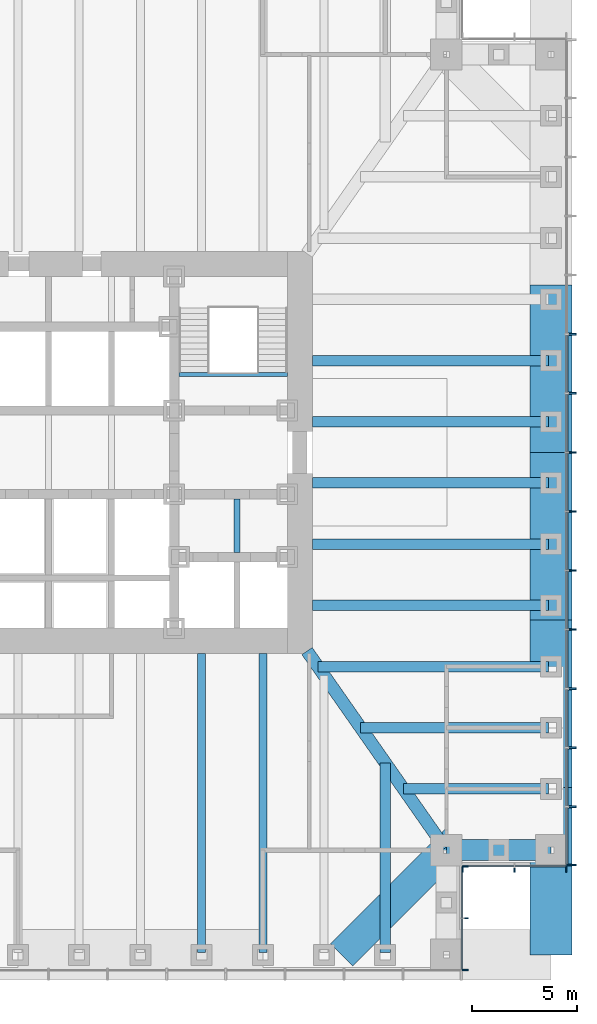
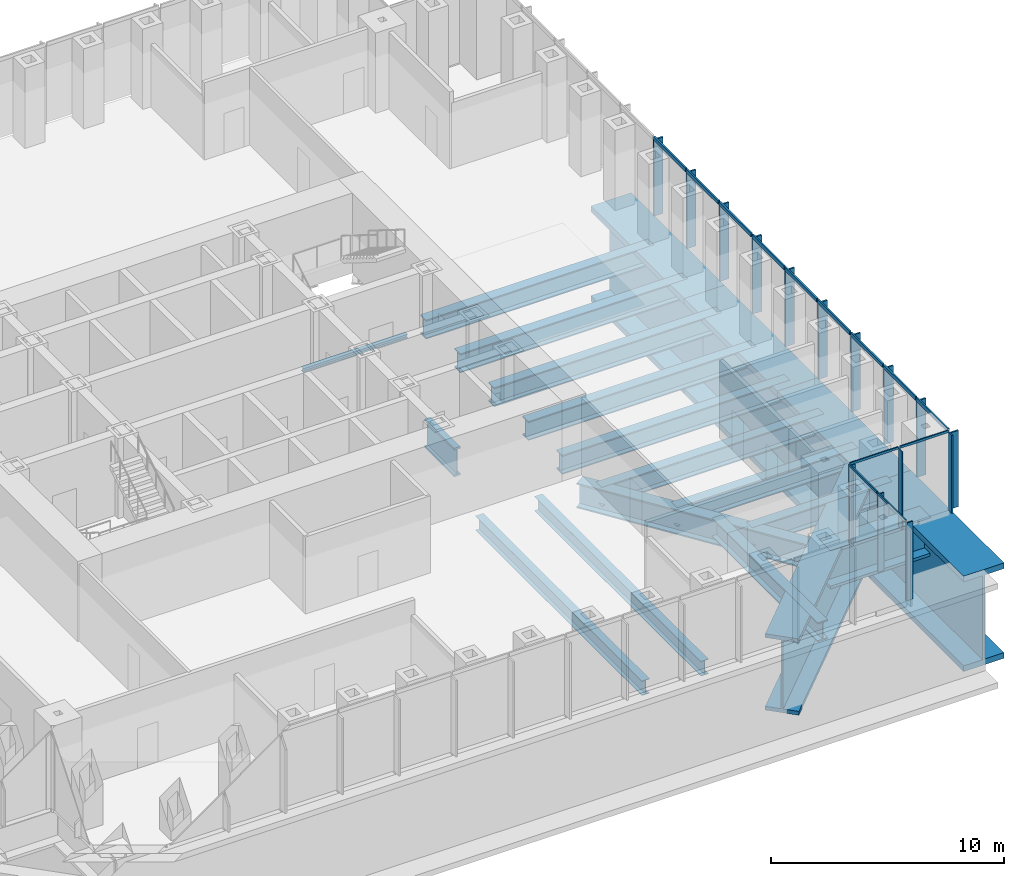
# One storey, part 4 of 16: 29 members, 20 beams, 3 elements without a shape of their own.
"""IFC4 building model written with IfcOpenShell, lengths in metres."""

from ifc_helpers import new_model, si_unit, direction, frame, origin, origin_2d, place, context, subcontext, project, spatial, rectangle, i_section, extrude, material, material_profile, profile_set, type_object, element, aggregate, save


model = new_model("IFC4")

# Units and contexts
model_context = context("Model", 3, precision=1e-05, world=origin(), true_north=direction((0.0, 1.0)))
body_context = subcontext(model_context, "Body", "Model", "MODEL_VIEW")
ifc_project = project(units=[si_unit("LENGTHUNIT", "METRE"), si_unit("AREAUNIT", "SQUARE_METRE"), si_unit("VOLUMEUNIT", "CUBIC_METRE"), si_unit("PLANEANGLEUNIT", "RADIAN"), si_unit("MASSUNIT", "GRAM", prefix="KILO")], contexts=[model_context])

# Site, building, storey
site_placement = place(None, origin())
site = spatial("IfcSite", under=ifc_project, at=site_placement, CompositionType="ELEMENT")
building_placement = place(site_placement, origin())
building = spatial("IfcBuilding", under=site, at=building_placement, Name="Daluyong Arena Tower", CompositionType="ELEMENT")
storey_placement = place(building_placement, frame((0.0, 0.0, 34.89990234375)))
storey = spatial("IfcBuildingStorey", under=building, at=storey_placement, Name="L06", CompositionType="ELEMENT", Elevation=34.89990234375)

# Curtain wall, members
ifc_material_1 = material(Name="Bronze anodised aluminium and glass", Category="aluminium")
curtain_wall_type_1 = type_object("IfcCurtainWallType", Name="Curtain wall CW1", PredefinedType="USERDEFINED", material=ifc_material_1)
curtain_wall_1_placement = place(storey_placement, origin())
curtain_wall_1 = element("IfcCurtainWall", 1, at=curtain_wall_1_placement, inside=storey, type_object=curtain_wall_type_1, Name="curtain wall L06 E", ObjectType="UNITISED CURTAIN WALL", PredefinedType="USERDEFINED")
ifc_material_2 = material(Name="Bronze anodised aluminium fin", Category="aluminium")
ifc_material_profile_1 = material_profile(ifc_material_2, rectangle(XDim=0.449951171875, YDim=0.080078125, at=origin_2d()))
ifc_profile_set_1 = profile_set([ifc_material_profile_1], Name="Bronze anodised aluminium fin")
member_type_1 = type_object("IfcMemberType", Name="CW1 bronze fin 450x80", PredefinedType="MULLION", material=ifc_profile_set_1)
member_1_placement = place(storey_placement, frame((80.97509765625, 60.2900390625, 0.0), z_axis=(0.0, 0.0, 1.0), x_axis=(-1.0, 0.0, 0.0)))
member_1 = element("IfcMember", 2, at=member_1_placement, type_object=member_type_1, Name="curtain wall L06 E fin 1", PredefinedType="MULLION", context=body_context, shape_type="SweptSolid", body=[
    extrude(rectangle(XDim=0.449951171875, YDim=0.080078125, at=origin_2d()), origin(), (0.0, 0.0, 1.0), 4.0),
])
member_2_placement = place(storey_placement, frame((80.97509765625, 63.071533203125, 0.0), z_axis=(0.0, 0.0, 1.0), x_axis=(-1.0, 0.0, 0.0)))
member_2 = element("IfcMember", 3, at=member_2_placement, type_object=member_type_1, Name="curtain wall L06 E fin 2", PredefinedType="MULLION", context=body_context, shape_type="SweptSolid", body=[
    extrude(rectangle(XDim=0.449951171875, YDim=0.080078125, at=origin_2d()), origin(), (0.0, 0.0, 1.0), 4.0),
])
member_3_placement = place(storey_placement, frame((80.97509765625, 65.892822265625, 0.0), z_axis=(0.0, 0.0, 1.0), x_axis=(-1.0, 0.0, 0.0)))
member_3 = element("IfcMember", 4, at=member_3_placement, type_object=member_type_1, Name="curtain wall L06 E fin 3", PredefinedType="MULLION", context=body_context, shape_type="SweptSolid", body=[
    extrude(rectangle(XDim=0.449951171875, YDim=0.080078125, at=origin_2d()), origin(), (0.0, 0.0, 1.0), 4.0),
])
member_4_placement = place(storey_placement, frame((80.97509765625, 68.71435546875, 0.0), z_axis=(0.0, 0.0, 1.0), x_axis=(-1.0, 0.0, 0.0)))
member_4 = element("IfcMember", 5, at=member_4_placement, type_object=member_type_1, Name="curtain wall L06 E fin 4", PredefinedType="MULLION", context=body_context, shape_type="SweptSolid", body=[
    extrude(rectangle(XDim=0.449951171875, YDim=0.080078125, at=origin_2d()), origin(), (0.0, 0.0, 1.0), 4.0),
])
member_5_placement = place(storey_placement, frame((80.97509765625, 71.53564453125, 0.0), z_axis=(0.0, 0.0, 1.0), x_axis=(-1.0, 0.0, 0.0)))
member_5 = element("IfcMember", 6, at=member_5_placement, type_object=member_type_1, Name="curtain wall L06 E fin 5", PredefinedType="MULLION", context=body_context, shape_type="SweptSolid", body=[
    extrude(rectangle(XDim=0.449951171875, YDim=0.080078125, at=origin_2d()), origin(), (0.0, 0.0, 1.0), 4.0),
])
member_6_placement = place(storey_placement, frame((80.97509765625, 74.357177734375, 0.0), z_axis=(0.0, 0.0, 1.0), x_axis=(-1.0, 0.0, 0.0)))
member_6 = element("IfcMember", 7, at=member_6_placement, type_object=member_type_1, Name="curtain wall L06 E fin 6", PredefinedType="MULLION", context=body_context, shape_type="SweptSolid", body=[
    extrude(rectangle(XDim=0.449951171875, YDim=0.080078125, at=origin_2d()), origin(), (0.0, 0.0, 1.0), 4.0),
])
member_7_placement = place(storey_placement, frame((80.97509765625, 77.178466796875, 0.0), z_axis=(0.0, 0.0, 1.0), x_axis=(-1.0, 0.0, 0.0)))
member_7 = element("IfcMember", 8, at=member_7_placement, type_object=member_type_1, Name="curtain wall L06 E fin 7", PredefinedType="MULLION", context=body_context, shape_type="SweptSolid", body=[
    extrude(rectangle(XDim=0.449951171875, YDim=0.080078125, at=origin_2d()), origin(), (0.0, 0.0, 1.0), 4.0),
])
member_8_placement = place(storey_placement, frame((80.97509765625, 80.0, 0.0), z_axis=(0.0, 0.0, 1.0), x_axis=(-1.0, 0.0, 0.0)))
member_8 = element("IfcMember", 9, at=member_8_placement, type_object=member_type_1, Name="curtain wall L06 E fin 8", PredefinedType="MULLION", context=body_context, shape_type="SweptSolid", body=[
    extrude(rectangle(XDim=0.449951171875, YDim=0.080078125, at=origin_2d()), origin(), (0.0, 0.0, 1.0), 4.0),
])
member_9_placement = place(storey_placement, frame((80.97509765625, 82.821533203125, 0.0), z_axis=(0.0, 0.0, 1.0), x_axis=(-1.0, 0.0, 0.0)))
member_9 = element("IfcMember", 10, at=member_9_placement, type_object=member_type_1, Name="curtain wall L06 E fin 9", PredefinedType="MULLION", context=body_context, shape_type="SweptSolid", body=[
    extrude(rectangle(XDim=0.449951171875, YDim=0.080078125, at=origin_2d()), origin(), (0.0, 0.0, 1.0), 4.0),
])
member_10_placement = place(storey_placement, frame((80.97509765625, 85.642822265625, 0.0), z_axis=(0.0, 0.0, 1.0), x_axis=(-1.0, 0.0, 0.0)))
member_10 = element("IfcMember", 11, at=member_10_placement, type_object=member_type_1, Name="curtain wall L06 E fin 10", PredefinedType="MULLION", context=body_context, shape_type="SweptSolid", body=[
    extrude(rectangle(XDim=0.449951171875, YDim=0.080078125, at=origin_2d()), origin(), (0.0, 0.0, 1.0), 4.0),
])
ifc_material_3 = material(Name="Bronze anodised aluminium", Category="aluminium")
ifc_material_profile_2 = material_profile(ifc_material_3, rectangle(XDim=0.080078125, YDim=0.199951171875, at=origin_2d()))
ifc_profile_set_2 = profile_set([ifc_material_profile_2], Name="Bronze anodised aluminium")
member_type_2 = type_object("IfcMemberType", Name="CW1 stack transom 200x80", PredefinedType="USERDEFINED", material=ifc_profile_set_2)
member_11_placement = place(storey_placement, frame((80.75, 60.330078125, 4.10009765625), z_axis=(0.0, 1.0, 0.0), x_axis=(-1.0, 0.0, 0.0)))
member_11 = element("IfcMember", 12, at=member_11_placement, type_object=member_type_2, Name="curtain wall L06 E transom 1", ObjectType="TRANSOM", PredefinedType="USERDEFINED", context=body_context, shape_type="SweptSolid", body=[
    extrude(rectangle(XDim=0.080078125, YDim=0.199951171875, at=origin_2d()), origin(), (0.0, 0.0, 1.0), 2.701416015625),
])
member_12_placement = place(storey_placement, frame((80.75, 63.111328125, 4.10009765625), z_axis=(0.0, 1.0, 0.0), x_axis=(-1.0, 0.0, 0.0)))
member_12 = element("IfcMember", 13, at=member_12_placement, type_object=member_type_2, Name="curtain wall L06 E transom 2", ObjectType="TRANSOM", PredefinedType="USERDEFINED", context=body_context, shape_type="SweptSolid", body=[
    extrude(rectangle(XDim=0.080078125, YDim=0.199951171875, at=origin_2d()), origin(), (0.0, 0.0, 1.0), 2.741455078125),
])
member_13_placement = place(storey_placement, frame((80.75, 65.932861328125, 4.10009765625), z_axis=(0.0, 1.0, 0.0), x_axis=(-1.0, 0.0, 0.0)))
member_13 = element("IfcMember", 14, at=member_13_placement, type_object=member_type_2, Name="curtain wall L06 E transom 3", ObjectType="TRANSOM", PredefinedType="USERDEFINED", context=body_context, shape_type="SweptSolid", body=[
    extrude(rectangle(XDim=0.080078125, YDim=0.199951171875, at=origin_2d()), origin(), (0.0, 0.0, 1.0), 2.741455078125),
])
member_14_placement = place(storey_placement, frame((80.75, 68.75439453125, 4.10009765625), z_axis=(0.0, 1.0, 0.0), x_axis=(-1.0, 0.0, 0.0)))
member_14 = element("IfcMember", 15, at=member_14_placement, type_object=member_type_2, Name="curtain wall L06 E transom 4", ObjectType="TRANSOM", PredefinedType="USERDEFINED", context=body_context, shape_type="SweptSolid", body=[
    extrude(rectangle(XDim=0.080078125, YDim=0.199951171875, at=origin_2d()), origin(), (0.0, 0.0, 1.0), 2.7412109375),
])
member_15_placement = place(storey_placement, frame((80.75, 71.57568359375, 4.10009765625), z_axis=(0.0, 1.0, 0.0), x_axis=(-1.0, 0.0, 0.0)))
member_15 = element("IfcMember", 16, at=member_15_placement, type_object=member_type_2, Name="curtain wall L06 E transom 5", ObjectType="TRANSOM", PredefinedType="USERDEFINED", context=body_context, shape_type="SweptSolid", body=[
    extrude(rectangle(XDim=0.080078125, YDim=0.199951171875, at=origin_2d()), origin(), (0.0, 0.0, 1.0), 2.741455078125),
])
member_16_placement = place(storey_placement, frame((80.75, 74.397216796875, 4.10009765625), z_axis=(0.0, 1.0, 0.0), x_axis=(-1.0, 0.0, 0.0)))
member_16 = element("IfcMember", 17, at=member_16_placement, type_object=member_type_2, Name="curtain wall L06 E transom 6", ObjectType="TRANSOM", PredefinedType="USERDEFINED", context=body_context, shape_type="SweptSolid", body=[
    extrude(rectangle(XDim=0.080078125, YDim=0.199951171875, at=origin_2d()), origin(), (0.0, 0.0, 1.0), 2.741455078125),
])
member_17_placement = place(storey_placement, frame((80.75, 77.218505859375, 4.10009765625), z_axis=(0.0, 1.0, 0.0), x_axis=(-1.0, 0.0, 0.0)))
member_17 = element("IfcMember", 18, at=member_17_placement, type_object=member_type_2, Name="curtain wall L06 E transom 7", ObjectType="TRANSOM", PredefinedType="USERDEFINED", context=body_context, shape_type="SweptSolid", body=[
    extrude(rectangle(XDim=0.080078125, YDim=0.199951171875, at=origin_2d()), origin(), (0.0, 0.0, 1.0), 2.741455078125),
])
member_18_placement = place(storey_placement, frame((80.75, 80.0400390625, 4.10009765625), z_axis=(0.0, 1.0, 0.0), x_axis=(-1.0, 0.0, 0.0)))
member_18 = element("IfcMember", 19, at=member_18_placement, type_object=member_type_2, Name="curtain wall L06 E transom 8", ObjectType="TRANSOM", PredefinedType="USERDEFINED", context=body_context, shape_type="SweptSolid", body=[
    extrude(rectangle(XDim=0.080078125, YDim=0.199951171875, at=origin_2d()), origin(), (0.0, 0.0, 1.0), 2.741455078125),
])
member_19_placement = place(storey_placement, frame((80.75, 82.861328125, 4.10009765625), z_axis=(0.0, 1.0, 0.0), x_axis=(-1.0, 0.0, 0.0)))
member_19 = element("IfcMember", 20, at=member_19_placement, type_object=member_type_2, Name="curtain wall L06 E transom 9", ObjectType="TRANSOM", PredefinedType="USERDEFINED", context=body_context, shape_type="SweptSolid", body=[
    extrude(rectangle(XDim=0.080078125, YDim=0.199951171875, at=origin_2d()), origin(), (0.0, 0.0, 1.0), 2.741455078125),
])
aggregate(curtain_wall_1, [member_1, member_2, member_3, member_4, member_5, member_6, member_7, member_8, member_9, member_10, member_11, member_12, member_13, member_14, member_15, member_16, member_17, member_18, member_19])

ifc_material_4 = material(Name="Bronze anodised aluminium and glass", Category="aluminium")
curtain_wall_type_2 = type_object("IfcCurtainWallType", Name="Curtain wall CW7", PredefinedType="USERDEFINED", material=ifc_material_4)
curtain_wall_2_placement = place(storey_placement, origin())
curtain_wall_2 = element("IfcCurtainWall", 21, at=curtain_wall_2_placement, inside=storey, type_object=curtain_wall_type_2, Name="curtain wall L06 SE-E", ObjectType="UNITISED CURTAIN WALL", PredefinedType="USERDEFINED")
ifc_material_5 = material(Name="Bronze anodised aluminium fin", Category="aluminium")
ifc_material_profile_3 = material_profile(ifc_material_5, rectangle(XDim=0.300048828125, YDim=0.06005859375, at=origin_2d()))
ifc_profile_set_3 = profile_set([ifc_material_profile_3], Name="Bronze anodised aluminium fin")
member_type_3 = type_object("IfcMemberType", Name="CW7 bronze fin 300x60", PredefinedType="MULLION", material=ifc_profile_set_3)
member_20_placement = place(storey_placement, frame((75.89990234375, 55.280029296875, 0.0), z_axis=(0.0, 0.0, 1.0), x_axis=(-1.0, 0.0, 0.0)))
member_20 = element("IfcMember", 22, at=member_20_placement, type_object=member_type_3, Name="curtain wall L06 SE-E fin 1", PredefinedType="MULLION", context=body_context, shape_type="SweptSolid", body=[
    extrude(rectangle(XDim=0.300048828125, YDim=0.06005859375, at=origin_2d()), origin(), (0.0, 0.0, 1.0), 4.080078125),
])
member_21_placement = place(storey_placement, frame((75.89990234375, 57.75, 0.0), z_axis=(0.0, 0.0, 1.0), x_axis=(-1.0, 0.0, 0.0)))
member_21 = element("IfcMember", 23, at=member_21_placement, type_object=member_type_3, Name="curtain wall L06 SE-E fin 2", PredefinedType="MULLION", context=body_context, shape_type="SweptSolid", body=[
    extrude(rectangle(XDim=0.300048828125, YDim=0.06005859375, at=origin_2d()), origin(), (0.0, 0.0, 1.0), 4.080078125),
])
member_22_placement = place(storey_placement, frame((75.89990234375, 60.219970703125, 0.0), z_axis=(0.0, 0.0, 1.0), x_axis=(-1.0, 0.0, 0.0)))
member_22 = element("IfcMember", 24, at=member_22_placement, type_object=member_type_3, Name="curtain wall L06 SE-E fin 3", PredefinedType="MULLION", context=body_context, shape_type="SweptSolid", body=[
    extrude(rectangle(XDim=0.300048828125, YDim=0.06005859375, at=origin_2d()), origin(), (0.0, 0.0, 1.0), 4.080078125),
])

curtain_wall_3_placement = place(storey_placement, origin())
curtain_wall_3 = element("IfcCurtainWall", 25, at=curtain_wall_3_placement, inside=storey, type_object=curtain_wall_type_2, Name="curtain wall L06 SE-S", ObjectType="UNITISED CURTAIN WALL", PredefinedType="USERDEFINED")
member_23_placement = place(storey_placement, frame((75.780029296875, 60.10009765625, 0.0), z_axis=(0.0, 0.0, 1.0), x_axis=(0.0, 1.0, 0.0)))
member_23 = element("IfcMember", 26, at=member_23_placement, type_object=member_type_3, Name="curtain wall L06 SE-S fin 1", PredefinedType="MULLION", context=body_context, shape_type="SweptSolid", body=[
    extrude(rectangle(XDim=0.300048828125, YDim=0.06005859375, at=origin_2d()), origin(), (0.0, 0.0, 1.0), 4.080078125),
])
member_24_placement = place(storey_placement, frame((78.25, 60.10009765625, 0.0), z_axis=(0.0, 0.0, 1.0), x_axis=(0.0, 1.0, 0.0)))
member_24 = element("IfcMember", 27, at=member_24_placement, type_object=member_type_3, Name="curtain wall L06 SE-S fin 2", PredefinedType="MULLION", context=body_context, shape_type="SweptSolid", body=[
    extrude(rectangle(XDim=0.300048828125, YDim=0.06005859375, at=origin_2d()), origin(), (0.0, 0.0, 1.0), 4.080078125),
])
member_25_placement = place(storey_placement, frame((80.719970703125, 60.10009765625, 0.0), z_axis=(0.0, 0.0, 1.0), x_axis=(0.0, 1.0, 0.0)))
member_25 = element("IfcMember", 28, at=member_25_placement, type_object=member_type_3, Name="curtain wall L06 SE-S fin 3", PredefinedType="MULLION", context=body_context, shape_type="SweptSolid", body=[
    extrude(rectangle(XDim=0.300048828125, YDim=0.06005859375, at=origin_2d()), origin(), (0.0, 0.0, 1.0), 4.080078125),
])

# Member
ifc_material_6 = material(Name="Bronze anodised aluminium", Category="aluminium")
ifc_material_profile_4 = material_profile(ifc_material_6, rectangle(XDim=0.06005859375, YDim=0.1201171875, at=origin_2d()))
ifc_profile_set_4 = profile_set([ifc_material_profile_4], Name="Bronze anodised aluminium")
member_type_4 = type_object("IfcMemberType", Name="CW7 stack transom 120x60", PredefinedType="USERDEFINED", material=ifc_profile_set_4)
member_26_placement = place(storey_placement, frame((75.75, 55.31005859375, 4.14013671875), z_axis=(0.0, 1.0, 0.0), x_axis=(-1.0, 0.0, 0.0)))
member_26 = element("IfcMember", 29, at=member_26_placement, type_object=member_type_4, Name="curtain wall L06 SE-E transom 1", ObjectType="TRANSOM", PredefinedType="USERDEFINED", context=body_context, shape_type="SweptSolid", body=[
    extrude(rectangle(XDim=0.06005859375, YDim=0.1201171875, at=origin_2d()), origin(), (0.0, 0.0, 1.0), 2.409912109375),
])

member_27_placement = place(storey_placement, frame((75.75, 57.780029296875, 4.14013671875), z_axis=(0.0, 1.0, 0.0), x_axis=(-1.0, 0.0, 0.0)))
member_27 = element("IfcMember", 30, at=member_27_placement, type_object=member_type_4, Name="curtain wall L06 SE-E transom 2", ObjectType="TRANSOM", PredefinedType="USERDEFINED", context=body_context, shape_type="SweptSolid", body=[
    extrude(rectangle(XDim=0.06005859375, YDim=0.1201171875, at=origin_2d()), origin(), (0.0, 0.0, 1.0), 2.409912109375),
])

aggregate(curtain_wall_2, [member_20, member_21, member_22, member_26, member_27])

member_28_placement = place(storey_placement, frame((75.81005859375, 60.25, 4.14013671875), z_axis=(1.0, 0.0, 0.0), x_axis=(0.0, 1.0, 0.0)))
member_28 = element("IfcMember", 31, at=member_28_placement, type_object=member_type_4, Name="curtain wall L06 SE-S transom 1", ObjectType="TRANSOM", PredefinedType="USERDEFINED", context=body_context, shape_type="SweptSolid", body=[
    extrude(rectangle(XDim=0.06005859375, YDim=0.1201171875, at=origin_2d()), origin(), (0.0, 0.0, 1.0), 2.409912109375),
])

member_29_placement = place(storey_placement, frame((78.280029296875, 60.25, 4.14013671875), z_axis=(1.0, 0.0, 0.0), x_axis=(0.0, 1.0, 0.0)))
member_29 = element("IfcMember", 32, at=member_29_placement, type_object=member_type_4, Name="curtain wall L06 SE-S transom 2", ObjectType="TRANSOM", PredefinedType="USERDEFINED", context=body_context, shape_type="SweptSolid", body=[
    extrude(rectangle(XDim=0.06005859375, YDim=0.1201171875, at=origin_2d()), origin(), (0.0, 0.0, 1.0), 2.409912109375),
])

aggregate(curtain_wall_3, [member_23, member_24, member_25, member_28, member_29])

# Beams
ifc_material_7 = material(Name="Steel ASTM A572 Grade 50", Category="steel")
ifc_material_profile_5 = material_profile(ifc_material_7, i_section(OverallWidth=0.60009765625, OverallDepth=1.300048828125, WebThickness=0.035, FlangeThickness=0.07, at=origin_2d()))
ifc_profile_set_5 = profile_set([ifc_material_profile_5], Name="Steel ASTM A572 Grade 50")
beam_type_1 = type_object("IfcBeamType", Name="Corner girder TB1300X600", PredefinedType="BEAM", material=ifc_profile_set_5)
beam_1_placement = place(storey_placement, frame((74.93408203125, 61.09423828125, -0.949951171875), z_axis=(-0.573466621875, 0.819228926244, 0.0), x_axis=(-0.819228926244, -0.573466621875, 0.0)))
element("IfcBeam", 33, at=beam_1_placement, inside=storey, type_object=beam_type_1, Name="corner girder DG1", PredefinedType="BEAM", context=body_context, shape_type="SweptSolid", body=[
    extrude(i_section(OverallWidth=0.60009765625, OverallDepth=1.300048828125, WebThickness=0.035, FlangeThickness=0.07, at=origin_2d()), origin(), (0.0, 0.0, 1.0), 11.49169921875),
])
ifc_material_8 = material(Name="Steel ASTM A572 Grade 50", Category="steel")
ifc_material_profile_6 = material_profile(ifc_material_8, i_section(OverallWidth=0.5, OverallDepth=1.0, WebThickness=0.03, FlangeThickness=0.06, at=origin_2d()))
ifc_profile_set_6 = profile_set([ifc_material_profile_6], Name="Steel ASTM A572 Grade 50")
beam_type_2 = type_object("IfcBeamType", Name="Floor beam TB1000X500", PredefinedType="BEAM", material=ifc_profile_set_6)
beam_2_placement = place(storey_placement, frame((72.076904296875, 56.114990234375, -0.7998046875), z_axis=(0.0, 1.0, 0.0), x_axis=(-1.0, 0.0, 0.0)))
element("IfcBeam", 34, at=beam_2_placement, inside=storey, type_object=beam_type_2, Name="floor beam FB1", PredefinedType="BEAM", context=body_context, shape_type="SweptSolid", body=[
    extrude(i_section(OverallWidth=0.5, OverallDepth=1.0, WebThickness=0.03, FlangeThickness=0.06, at=origin_2d()), origin(), (0.0, 0.0, 1.0), 9.060791015625),
])
beam_3_placement = place(storey_placement, frame((79.885009765625, 63.923095703125, -0.7998046875), z_axis=(-1.0, 0.0, 0.0), x_axis=(0.0, -1.0, 0.0)))
element("IfcBeam", 35, at=beam_3_placement, inside=storey, type_object=beam_type_2, Name="floor beam FB1", PredefinedType="BEAM", context=body_context, shape_type="SweptSolid", body=[
    extrude(i_section(OverallWidth=0.5, OverallDepth=1.0, WebThickness=0.03, FlangeThickness=0.06, at=origin_2d()), origin(), (0.0, 0.0, 1.0), 6.93115234375),
])
beam_4_placement = place(storey_placement, frame((79.885009765625, 66.84619140625, -0.7998046875), z_axis=(-1.0, 0.0, 0.0), x_axis=(0.0, -1.0, 0.0)))
element("IfcBeam", 36, at=beam_4_placement, inside=storey, type_object=beam_type_2, Name="floor beam FB1", PredefinedType="BEAM", context=body_context, shape_type="SweptSolid", body=[
    extrude(i_section(OverallWidth=0.5, OverallDepth=1.0, WebThickness=0.03, FlangeThickness=0.06, at=origin_2d()), origin(), (0.0, 0.0, 1.0), 8.977294921875),
])
beam_5_placement = place(storey_placement, frame((79.885009765625, 69.769287109375, -0.7998046875), z_axis=(-1.0, 0.0, 0.0), x_axis=(0.0, -1.0, 0.0)))
element("IfcBeam", 37, at=beam_5_placement, inside=storey, type_object=beam_type_2, Name="floor beam FB1", PredefinedType="BEAM", context=body_context, shape_type="SweptSolid", body=[
    extrude(i_section(OverallWidth=0.5, OverallDepth=1.0, WebThickness=0.03, FlangeThickness=0.06, at=origin_2d()), origin(), (0.0, 0.0, 1.0), 11.0234375),
])
for number, where, z_axis, x_axis, name in (
    (38, (79.885009765625, 72.6923828125, -0.7998046875), (-1.0, 0.0, 0.0), (0.0, -1.0, 0.0), "floor beam FB1"),
    (39, (79.885009765625, 75.615478515625, -0.7998046875), (-1.0, 0.0, 0.0), (0.0, -1.0, 0.0), "floor beam FB1"),
    (40, (79.885009765625, 78.53857421875, -0.7998046875), (-1.0, 0.0, 0.0), (0.0, -1.0, 0.0), "floor beam FB1"),
    (41, (79.885009765625, 81.46142578125, -0.7998046875), (-1.0, 0.0, 0.0), (0.0, -1.0, 0.0), "floor beam FB1"),
    (42, (79.885009765625, 84.384521484375, -0.7998046875), (-1.0, 0.0, 0.0), (0.0, -1.0, 0.0), "floor beam FB1"),
):
    element("IfcBeam", number, at=place(storey_placement, frame(where, z_axis=z_axis, x_axis=x_axis)), inside=storey, type_object=beam_type_2, Name=name, PredefinedType="BEAM", context=body_context, shape_type="SweptSolid", body=[
        extrude(i_section(OverallWidth=0.5, OverallDepth=1.0, WebThickness=0.03, FlangeThickness=0.06, at=origin_2d()), origin(), (0.0, 0.0, 1.0), 11.284912109375),
    ])
ifc_material_9 = material(Name="Steel ASTM A992 Grade 50", Category="steel")
ifc_material_profile_7 = material_profile(ifc_material_9, i_section(OverallWidth=0.381103515625, OverallDepth=0.772216796875, WebThickness=0.0166015625, FlangeThickness=0.027099609375, at=origin_2d()))
ifc_profile_set_7 = profile_set([ifc_material_profile_7], Name="Steel ASTM A992 Grade 50")
beam_type_3 = type_object("IfcBeamType", Name="Floor beam W30X173", PredefinedType="BEAM", material=ifc_profile_set_7)
for number, where, z_axis, x_axis, name in (
    (43, (63.3076171875, 56.114990234375, -0.68603515625), (0.0, 1.0, 0.0), (-1.0, 0.0, 0.0), "floor beam FB2"),
    (44, (66.230712890625, 56.114990234375, -0.68603515625), (0.0, 1.0, 0.0), (-1.0, 0.0, 0.0), "floor beam FB2"),
):
    element("IfcBeam", number, at=place(storey_placement, frame(where, z_axis=z_axis, x_axis=x_axis)), inside=storey, type_object=beam_type_3, Name=name, PredefinedType="BEAM", context=body_context, shape_type="SweptSolid", body=[
        extrude(i_section(OverallWidth=0.381103515625, OverallDepth=0.772216796875, WebThickness=0.0166015625, FlangeThickness=0.027099609375, at=origin_2d()), origin(), (0.0, 0.0, 1.0), 14.284912109375),
    ])
ifc_material_10 = material(Name="Steel ASTM A572 Grade 50", Category="steel")
ifc_material_profile_8 = material_profile(ifc_material_10, i_section(OverallWidth=0.300048828125, OverallDepth=1.5, WebThickness=0.04, FlangeThickness=0.1, at=origin_2d()))
ifc_profile_set_8 = profile_set([ifc_material_profile_8], Name="Steel ASTM A572 Grade 50")
beam_type_4 = type_object("IfcBeamType", Name="Lift divider beam PG1500X300", PredefinedType="BEAM", material=ifc_profile_set_8)
beam_6_placement = place(storey_placement, frame((65.0, 75.22509765625, -1.0498046875), z_axis=(0.0, 1.0, 0.0), x_axis=(-1.0, 0.0, 0.0)))
element("IfcBeam", 45, at=beam_6_placement, inside=storey, type_object=beam_type_4, Name="lift divider beam DB2", PredefinedType="BEAM", context=body_context, shape_type="SweptSolid", body=[
    extrude(i_section(OverallWidth=0.300048828125, OverallDepth=1.5, WebThickness=0.04, FlangeThickness=0.1, at=origin_2d()), origin(), (0.0, 0.0, 1.0), 2.5498046875),
])
ifc_material_11 = material(Name="Steel ASTM A992 Grade 50", Category="steel")
ifc_material_profile_9 = material_profile(ifc_material_11, i_section(OverallWidth=0.203125, OverallDepth=0.203125, WebThickness=0.00732421875, FlangeThickness=0.010986328125, at=origin_2d()))
ifc_profile_set_9 = profile_set([ifc_material_profile_9], Name="Steel ASTM A992 Grade 50")
beam_type_5 = type_object("IfcBeamType", Name="Stair landing beam W8X31", PredefinedType="BEAM", material=ifc_profile_set_9)
beam_7_placement = place(storey_placement, frame((62.22509765625, 83.723388671875, -0.401611328125), z_axis=(1.0, 0.0, 0.0), x_axis=(0.0, 1.0, 0.0)))
element("IfcBeam", 46, at=beam_7_placement, inside=storey, type_object=beam_type_5, Name="exit stair B landing beam", PredefinedType="BEAM", context=body_context, shape_type="SweptSolid", body=[
    extrude(i_section(OverallWidth=0.203125, OverallDepth=0.203125, WebThickness=0.00732421875, FlangeThickness=0.010986328125, at=origin_2d()), origin(), (0.0, 0.0, 1.0), 5.1748046875),
])
ifc_material_12 = material(Name="Steel ASTM A36", Category="steel")
ifc_material_profile_10 = material_profile(ifc_material_12, i_section(OverallWidth=2.0, OverallDepth=5.0, WebThickness=0.14, FlangeThickness=0.3, at=origin_2d()))
ifc_profile_set_10 = profile_set([ifc_material_profile_10], Name="Steel ASTM A36")
beam_type_6 = type_object("IfcBeamType", Name="Tower transfer girder PG5000X2000", PredefinedType="BEAM", material=ifc_profile_set_10)
for number, where, z_axis, x_axis, name in (
    (47, (80.0, 56.0, -2.7998046875), (0.0, 1.0, 0.0), (-1.0, 0.0, 0.0), "tower transfer girder TG2"),
    (48, (80.0, 64.0, -2.7998046875), (0.0, 1.0, 0.0), (-1.0, 0.0, 0.0), "tower transfer girder TG2"),
    (49, (80.0, 72.0, -2.7998046875), (0.0, 1.0, 0.0), (-1.0, 0.0, 0.0), "tower transfer girder TG2"),
    (50, (80.0, 80.0, -2.7998046875), (0.0, 1.0, 0.0), (-1.0, 0.0, 0.0), "tower transfer girder TG2"),
):
    element("IfcBeam", number, at=place(storey_placement, frame(where, z_axis=z_axis, x_axis=x_axis)), inside=storey, type_object=beam_type_6, Name=name, PredefinedType="BEAM", context=body_context, shape_type="SweptSolid", body=[
        extrude(i_section(OverallWidth=2.0, OverallDepth=5.0, WebThickness=0.14, FlangeThickness=0.3, at=origin_2d()), origin(), (0.0, 0.0, 1.0), 8.0),
    ])
ifc_material_13 = material(Name="Steel ASTM A588 Grade 50", Category="steel")
ifc_material_profile_11 = material_profile(ifc_material_13, i_section(OverallWidth=1.0, OverallDepth=2.0, WebThickness=0.06, FlangeThickness=0.15, at=origin_2d()))
ifc_profile_set_11 = profile_set([ifc_material_profile_11], Name="Steel ASTM A588 Grade 50")
beam_type_7 = type_object("IfcBeamType", Name="Transfer beam PG2000X1000", PredefinedType="BEAM", material=ifc_profile_set_11)
beam_8_placement = place(storey_placement, frame((80.0, 61.0, -1.2998046875), z_axis=(-1.0, 0.0, 0.0), x_axis=(0.0, -1.0, 0.0)))
element("IfcBeam", 51, at=beam_8_placement, inside=storey, type_object=beam_type_7, Name="transfer beam TR2", PredefinedType="BEAM", context=body_context, shape_type="SweptSolid", body=[
    extrude(i_section(OverallWidth=1.0, OverallDepth=2.0, WebThickness=0.06, FlangeThickness=0.15, at=origin_2d()), origin(), (0.0, 0.0, 1.0), 5.0),
])
ifc_material_14 = material(Name="Steel ASTM A588 Grade 50", Category="steel")
ifc_material_profile_12 = material_profile(ifc_material_14, i_section(OverallWidth=1.5, OverallDepth=4.0, WebThickness=0.1, FlangeThickness=0.2, at=origin_2d()))
ifc_profile_set_12 = profile_set([ifc_material_profile_12], Name="Steel ASTM A588 Grade 50")
beam_type_8 = type_object("IfcBeamType", Name="Transfer beam PG4000X1500", PredefinedType="BEAM", material=ifc_profile_set_12)
beam_9_placement = place(storey_placement, frame((80.0, 66.0, -2.2998046875), z_axis=(-0.707106781187, -0.707106781187, 0.0), x_axis=(0.707106781187, -0.707106781187, 0.0)))
element("IfcBeam", 52, at=beam_9_placement, inside=storey, type_object=beam_type_8, Name="transfer beam TR1", PredefinedType="BEAM", context=body_context, shape_type="SweptSolid", body=[
    extrude(i_section(OverallWidth=1.5, OverallDepth=4.0, WebThickness=0.1, FlangeThickness=0.2, at=origin_2d()), origin(), (0.0, 0.0, 1.0), 14.14208984375),
])

save(model, "model.ifc")
